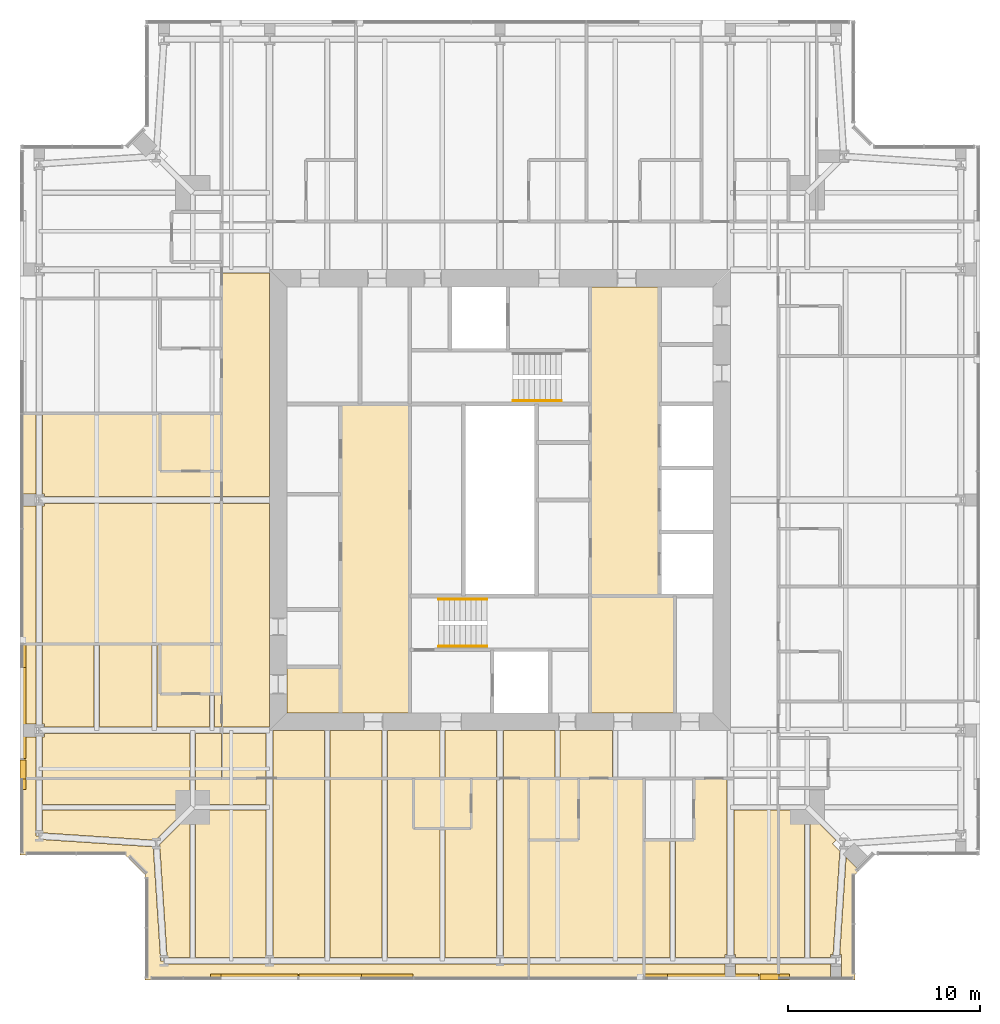
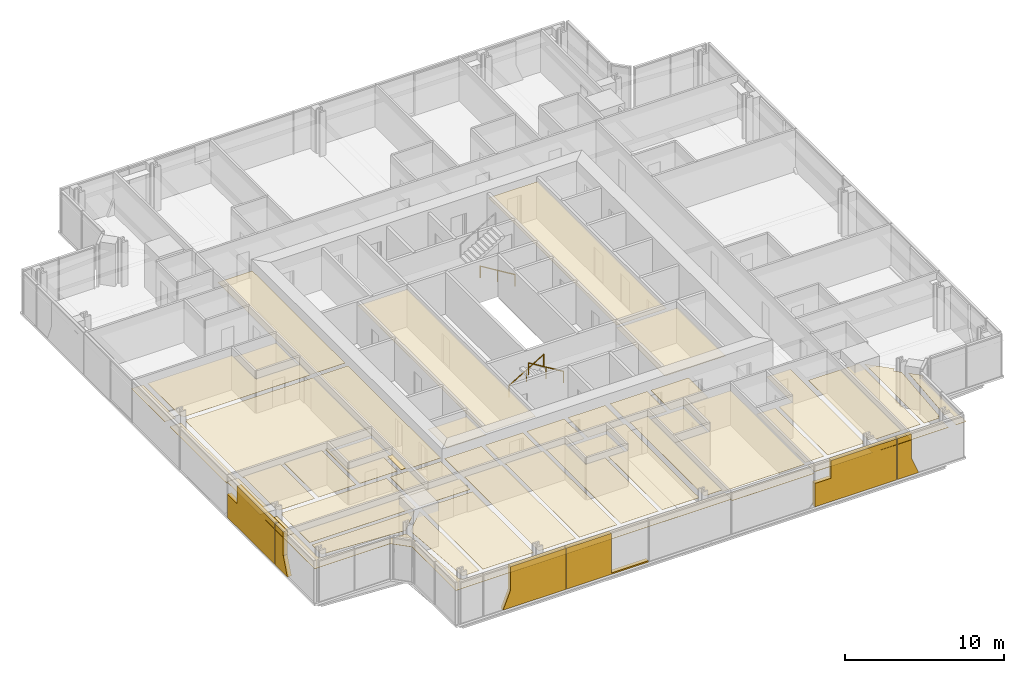
# One storey, part 16 of 18: 57 coverings, 3 railings.
"""IFC4 building model written with IfcOpenShell, lengths in metres."""

from ifc_helpers import new_model, si_unit, direction, frame, origin, origin_2d, place, context, subcontext, project, spatial, polyline, circle, outline, extrude, material, layer, layer_set, type_object, element, save


model = new_model("IFC4")

# Units and contexts
model_context = context("Model", 3, precision=1e-05, world=origin(), true_north=direction((0.0, 1.0)))
body_context = subcontext(model_context, "Body", "Model", "MODEL_VIEW")
ifc_project = project(units=[si_unit("LENGTHUNIT", "METRE"), si_unit("AREAUNIT", "SQUARE_METRE"), si_unit("VOLUMEUNIT", "CUBIC_METRE"), si_unit("PLANEANGLEUNIT", "RADIAN"), si_unit("MASSUNIT", "GRAM", prefix="KILO")], contexts=[model_context])

# Site, building, storey
site_placement = place(None, origin())
site = spatial("IfcSite", under=ifc_project, at=site_placement, CompositionType="ELEMENT")
building_placement = place(site_placement, origin())
building = spatial("IfcBuilding", under=site, at=building_placement, Name="Fenwick Lantern Interchange", CompositionType="ELEMENT")
storey_placement = place(building_placement, frame((0.0, 0.0, 266.199951171875)))
storey = spatial("IfcBuildingStorey", under=building, at=storey_placement, Name="L63", CompositionType="ELEMENT", Elevation=266.199951171875)

# Coverings
ifc_material_1 = material(Name="Granite cladding, warm grey flamed finish, on aluminium carrier frame", Category="masonry")
ifc_layer_1 = layer(ifc_material_1, 0.300048828125)
ifc_layer_set_1 = layer_set([ifc_layer_1], Name="BRACE CASING PANEL 300")
covering_type_1 = type_object("IfcCoveringType", Name="BRACE CASING PANEL 300", PredefinedType="CLADDING", material=ifc_layer_set_1)
covering_1_placement = place(storey_placement, frame((6.60009765625, 0.10009765625, 0.0), z_axis=(0.0, 0.0, 1.0), x_axis=(1.0, 0.0, 0.0)))
element("IfcCovering", 1, at=covering_1_placement, inside=storey, type_object=covering_type_1, Name="Brace casing 01 bay 01a", PredefinedType="CLADDING", context=body_context, shape_type="SweptSolid", body=[
    extrude(outline(polyline([(3.328369140625, 0.0), (7.8701171875, 0.0), (7.8701171875, 3.150146484375), (3.859375, 3.150146484375), (3.859375, 1.31298828125), (3.328369140625, 0.0)])), frame((0.0, 0.2099609375, 0.0), z_axis=(0.0, -1.0, 0.0), x_axis=(1.0, 0.0, 0.0)), (0.0, 0.0, 1.0), 0.300048828125),
])
covering_2_placement = place(storey_placement, frame((6.60009765625, 0.10009765625, 0.0), z_axis=(0.0, 0.0, 1.0), x_axis=(1.0, 0.0, 0.0)))
element("IfcCovering", 2, at=covering_2_placement, inside=storey, type_object=covering_type_1, Name="Brace casing 01 bay 02a", PredefinedType="CLADDING", context=body_context, shape_type="SweptSolid", body=[
    extrude(outline(polyline([(7.929931640625, 0.0), (13.8701171875, 0.0), (13.8701171875, 0.0966796875), (11.180419921875, 0.0966796875), (11.180419921875, 3.150146484375), (7.929931640625, 3.150146484375), (7.929931640625, 0.0)])), frame((0.0, 0.2099609375, 0.0), z_axis=(0.0, -1.0, 0.0), x_axis=(1.0, 0.0, 0.0)), (0.0, 0.0, 1.0), 0.300048828125),
])
covering_3_placement = place(storey_placement, frame((6.60009765625, 0.10009765625, 0.0), z_axis=(0.0, 0.0, 1.0), x_axis=(1.0, 0.0, 0.0)))
element("IfcCovering", 3, at=covering_3_placement, inside=storey, type_object=covering_type_1, Name="Brace casing 01 bay 05a", PredefinedType="CLADDING", context=body_context, shape_type="SweptSolid", body=[
    extrude(outline(polyline([(25.929931640625, 0.0), (31.8701171875, 0.0), (31.8701171875, 3.150146484375), (27.1201171875, 3.150146484375), (27.1201171875, 1.79736328125), (25.929931640625, 1.79736328125), (25.929931640625, 0.0)])), frame((0.0, 0.2099609375, 0.0), z_axis=(0.0, -1.0, 0.0), x_axis=(1.0, 0.0, 0.0)), (0.0, 0.0, 1.0), 0.300048828125),
])
covering_4_placement = place(storey_placement, frame((6.60009765625, 0.10009765625, 0.0), z_axis=(0.0, 0.0, 1.0), x_axis=(1.0, 0.0, 0.0)))
element("IfcCovering", 4, at=covering_4_placement, inside=storey, type_object=covering_type_1, Name="Brace casing 01 bay 06a", PredefinedType="CLADDING", context=body_context, shape_type="SweptSolid", body=[
    extrude(outline(polyline([(31.929931640625, 0.0), (33.471435546875, 0.0), (32.940673828125, 1.31298828125), (32.940673828125, 3.150146484375), (31.929931640625, 3.150146484375), (31.929931640625, 0.0)])), frame((0.0, 0.2099609375, 0.0), z_axis=(0.0, -1.0, 0.0), x_axis=(1.0, 0.0, 0.0)), (0.0, 0.0, 1.0), 0.300048828125),
])
covering_5_placement = place(storey_placement, frame((0.10009765625, 43.39990234375, 0.0), z_axis=(0.0, 0.0, 1.0), x_axis=(0.0, -1.0, 0.0)))
element("IfcCovering", 5, at=covering_5_placement, inside=storey, type_object=covering_type_1, Name="Brace casing 13 bay 05a", PredefinedType="CLADDING", context=body_context, shape_type="SweptSolid", body=[
    extrude(outline(polyline([(25.929931640625, 0.0), (31.8701171875, 0.0), (31.8701171875, 3.150146484375), (27.1201171875, 3.150146484375), (27.1201171875, 1.79736328125), (25.929931640625, 1.79736328125), (25.929931640625, 0.0)])), frame((0.0, 0.2099609375, 0.0), z_axis=(0.0, -1.0, 0.0), x_axis=(1.0, 0.0, 0.0)), (0.0, 0.0, 1.0), 0.300048828125),
])
covering_6_placement = place(storey_placement, frame((0.10009765625, 43.39990234375, 0.0), z_axis=(0.0, 0.0, 1.0), x_axis=(0.0, -1.0, 0.0)))
element("IfcCovering", 6, at=covering_6_placement, inside=storey, type_object=covering_type_1, Name="Brace casing 13 bay 06a", PredefinedType="CLADDING", context=body_context, shape_type="SweptSolid", body=[
    extrude(outline(polyline([(31.929931640625, 0.0), (33.471435546875, 0.0), (32.940673828125, 1.31298828125), (32.940673828125, 3.150146484375), (31.929931640625, 3.150146484375), (31.929931640625, 0.0)])), frame((0.0, 0.2099609375, 0.0), z_axis=(0.0, -1.0, 0.0), x_axis=(1.0, 0.0, 0.0)), (0.0, 0.0, 1.0), 0.300048828125),
])

# Railings
ifc_material_2 = material(Name="Stainless steel handrail", Category="steel")
railing_type = type_object("IfcRailingType", Name="HANDRAIL 900", PredefinedType="HANDRAIL", material=ifc_material_2)
railing_1_placement = place(storey_placement, frame((21.800048828125, 19.825927734375, 0.170166015625)))
element("IfcRailing", 7, at=railing_1_placement, inside=storey, type_object=railing_type, Name="L63/STAIR/ST1/HR1", PredefinedType="HANDRAIL", context=body_context, shape_type="SweptSolid", body=[
    extrude(circle(Radius=0.02392578125, at=origin_2d()), frame((0.0, 0.0, 0.8759765625), z_axis=(0.854821627497, 0.0, 0.518921945155), x_axis=(0.0, 1.0, 0.0)), (0.0, 0.0, 1.0), 2.947998046875),
    extrude(circle(Radius=0.02099609375, at=origin_2d()), origin(), (0.0, 0.0, 1.0), 0.851806640625),
    extrude(circle(Radius=0.02099609375, at=origin_2d()), frame((1.260009765625, 0.0, 0.764892578125)), (0.0, 0.0, 1.0), 0.851806640625),
    extrude(circle(Radius=0.02099609375, at=origin_2d()), frame((2.52001953125, 0.0, 1.52978515625)), (0.0, 0.0, 1.0), 0.851806640625),
])
railing_2_placement = place(storey_placement, frame((24.320068359375, 17.3740234375, 1.8701171875)))
element("IfcRailing", 8, at=railing_2_placement, inside=storey, type_object=railing_type, Name="L63/STAIR/ST1/HR2", PredefinedType="HANDRAIL", context=body_context, shape_type="SweptSolid", body=[
    extrude(circle(Radius=0.02392578125, at=origin_2d()), frame((0.0, 0.0, 0.8759765625), z_axis=(-0.85478489116, 0.0, 0.518982456201), x_axis=(0.0, -1.0, 0.0)), (0.0, 0.0, 1.0), 2.9482421875),
    extrude(circle(Radius=0.02099609375, at=origin_2d()), origin(), (0.0, 0.0, 1.0), 0.851806640625),
    extrude(circle(Radius=0.02099609375, at=origin_2d()), frame((-1.260009765625, 0.0, 0.76513671875)), (0.0, 0.0, 1.0), 0.851806640625),
    extrude(circle(Radius=0.02099609375, at=origin_2d()), frame((-2.52001953125, 0.0, 1.530029296875)), (0.0, 0.0, 1.0), 0.851806640625),
])
railing_3_placement = place(storey_placement, frame((28.199951171875, 30.174072265625, 0.170166015625)))
element("IfcRailing", 9, at=railing_3_placement, inside=storey, type_object=railing_type, Name="L63/STAIR/ST2/HR1", PredefinedType="HANDRAIL", context=body_context, shape_type="SweptSolid", body=[
    extrude(circle(Radius=0.02392578125, at=origin_2d()), frame((0.0, 0.0, 0.8759765625), z_axis=(-0.854821627497, 0.0, 0.518921945155), x_axis=(0.0, -1.0, 0.0)), (0.0, 0.0, 1.0), 2.947998046875),
    extrude(circle(Radius=0.02099609375, at=origin_2d()), origin(), (0.0, 0.0, 1.0), 0.851806640625),
    extrude(circle(Radius=0.02099609375, at=origin_2d()), frame((-1.260009765625, 0.0, 0.764892578125)), (0.0, 0.0, 1.0), 0.851806640625),
    extrude(circle(Radius=0.02099609375, at=origin_2d()), frame((-2.52001953125, 0.0, 1.52978515625)), (0.0, 0.0, 1.0), 0.851806640625),
])

# Coverings
ifc_material_3 = material(Name="Moisture resistant gypsum board on suspended frame, painted")
ifc_layer_2 = layer(ifc_material_3, 0.014892578125)
ifc_layer_set_2 = layer_set([ifc_layer_2], Name="MOISTURE RESISTANT CEILING 15")
covering_type_2 = type_object("IfcCoveringType", Name="MOISTURE RESISTANT CEILING 15", PredefinedType="CEILING", material=ifc_layer_set_2)
covering_7_placement = place(storey_placement, frame((0.0, 0.0, 2.60009765625)))
element("IfcCovering", 10, at=covering_7_placement, inside=storey, type_object=covering_type_2, Name="Women's WC ceiling", PredefinedType="CEILING", context=body_context, shape_type="SweptSolid", body=[
    extrude(outline(polyline([(29.699951171875, 13.89990234375), (34.10009765625, 13.89990234375), (34.10009765625, 20.0), (29.699951171875, 20.0), (29.699951171875, 13.89990234375)])), origin(), (0.0, 0.0, 1.0), 0.014892578125),
])
covering_8_placement = place(storey_placement, frame((0.0, 0.0, 2.60009765625)))
element("IfcCovering", 11, at=covering_8_placement, inside=storey, type_object=covering_type_2, Name="Accessible WC ceiling", PredefinedType="CEILING", context=body_context, shape_type="SweptSolid", body=[
    extrude(outline(polyline([(13.89990234375, 13.89990234375), (16.699951171875, 13.89990234375), (16.699951171875, 16.300048828125), (13.89990234375, 16.300048828125), (13.89990234375, 13.89990234375)])), origin(), (0.0, 0.0, 1.0), 0.014892578125),
])
covering_9_placement = place(storey_placement, frame((0.0, 0.0, 2.400146484375)))
element("IfcCovering", 12, at=covering_9_placement, inside=storey, type_object=covering_type_2, Name="Club lounge pantry ceiling", PredefinedType="CEILING", context=body_context, shape_type="SweptSolid", body=[
    extrude(outline(polyline([(20.5, 7.89990234375), (23.5, 7.89990234375), (23.5, 10.5), (20.5, 10.5), (20.5, 7.89990234375)])), origin(), (0.0, 0.0, 1.0), 0.014892578125),
])
covering_10_placement = place(storey_placement, frame((0.0, 0.0, 2.400146484375)))
element("IfcCovering", 13, at=covering_10_placement, inside=storey, type_object=covering_type_2, Name="En-suite 6301 ceiling", PredefinedType="CEILING", context=body_context, shape_type="SweptSolid", body=[
    extrude(outline(polyline([(26.5, 7.300048828125), (29.10009765625, 7.300048828125), (29.10009765625, 10.5), (26.5, 10.5), (26.5, 7.300048828125)])), origin(), (0.0, 0.0, 1.0), 0.014892578125),
])
covering_11_placement = place(storey_placement, frame((0.0, 0.0, 2.400146484375)))
element("IfcCovering", 14, at=covering_11_placement, inside=storey, type_object=covering_type_2, Name="En-suite 6313 ceiling", PredefinedType="CEILING", context=body_context, shape_type="SweptSolid", body=[
    extrude(outline(polyline([(7.300048828125, 29.5), (7.300048828125, 26.5), (10.5, 26.5), (10.5, 29.5), (7.300048828125, 29.5)])), origin(), (0.0, 0.0, 1.0), 0.014892578125),
])
covering_12_placement = place(storey_placement, frame((0.0, 0.0, 2.400146484375)))
element("IfcCovering", 15, at=covering_12_placement, inside=storey, type_object=covering_type_2, Name="En-suite 6314 ceiling", PredefinedType="CEILING", context=body_context, shape_type="SweptSolid", body=[
    extrude(outline(polyline([(7.300048828125, 17.5), (7.300048828125, 14.89990234375), (10.5, 14.89990234375), (10.5, 17.5), (7.300048828125, 17.5)])), origin(), (0.0, 0.0, 1.0), 0.014892578125),
])
ifc_material_4 = material(Name="Gypsum plasterboard on suspended frame, painted")
ifc_layer_3 = layer(ifc_material_4, 0.014892578125)
ifc_layer_set_3 = layer_set([ifc_layer_3], Name="PLASTERBOARD CEILING 15")
covering_type_3 = type_object("IfcCoveringType", Name="PLASTERBOARD CEILING 15", PredefinedType="CEILING", material=ifc_layer_set_3)
covering_13_placement = place(storey_placement, frame((0.0, 0.0, 2.800048828125)))
element("IfcCovering", 16, at=covering_13_placement, inside=storey, type_object=covering_type_3, Name="Lift lobby ceiling", PredefinedType="CEILING", context=body_context, shape_type="SweptSolid", body=[
    extrude(outline(polyline([(16.699951171875, 13.89990234375), (20.300048828125, 13.89990234375), (20.300048828125, 30.0), (16.699951171875, 30.0), (16.699951171875, 13.89990234375)])), origin(), (0.0, 0.0, 1.0), 0.014892578125),
])
covering_14_placement = place(storey_placement, frame((0.0, 0.0, 2.800048828125)))
element("IfcCovering", 17, at=covering_14_placement, inside=storey, type_object=covering_type_3, Name="Lift lobby ceiling", PredefinedType="CEILING", context=body_context, shape_type="SweptSolid", body=[
    extrude(outline(polyline([(33.300048828125, 36.10009765625), (29.699951171875, 36.10009765625), (29.699951171875, 20.0), (33.300048828125, 20.0), (33.300048828125, 36.10009765625)])), origin(), (0.0, 0.0, 1.0), 0.014892578125),
])
covering_15_placement = place(storey_placement, frame((0.0, 0.0, 2.60009765625)))
element("IfcCovering", 18, at=covering_15_placement, inside=storey, type_object=covering_type_3, Name="Corridor ceiling", PredefinedType="CEILING", context=body_context, shape_type="SweptSolid", body=[
    extrude(outline(polyline([(10.5, 36.833984375), (10.5, 25.175048828125), (13.0, 25.175048828125), (13.0, 36.833984375), (10.5, 36.833984375)])), origin(), (0.0, 0.0, 1.0), 0.014892578125),
])
covering_16_placement = place(storey_placement, frame((0.0, 0.0, 2.60009765625)))
element("IfcCovering", 19, at=covering_16_placement, inside=storey, type_object=covering_type_3, Name="Corridor ceiling", PredefinedType="CEILING", context=body_context, shape_type="SweptSolid", body=[
    extrude(outline(polyline([(10.5, 24.824951171875), (10.5, 13.166015625), (13.0, 13.166015625), (13.0, 24.824951171875), (10.5, 24.824951171875)])), origin(), (0.0, 0.0, 1.0), 0.014892578125),
])
covering_17_placement = place(storey_placement, frame((0.0, 0.0, 2.60009765625)))
element("IfcCovering", 20, at=covering_17_placement, inside=storey, type_object=covering_type_3, Name="Corridor ceiling", PredefinedType="CEILING", context=body_context, shape_type="SweptSolid", body=[
    extrude(outline(polyline([(16.134521484375, 10.5), (18.865478515625, 10.5), (18.865478515625, 13.0), (16.134521484375, 13.0), (16.134521484375, 10.5)])), origin(), (0.0, 0.0, 1.0), 0.014892578125),
])
covering_18_placement = place(storey_placement, frame((0.0, 0.0, 2.60009765625)))
element("IfcCovering", 21, at=covering_18_placement, inside=storey, type_object=covering_type_3, Name="Corridor ceiling", PredefinedType="CEILING", context=body_context, shape_type="SweptSolid", body=[
    extrude(outline(polyline([(19.134521484375, 10.5), (21.865478515625, 10.5), (21.865478515625, 13.0), (19.134521484375, 13.0), (19.134521484375, 10.5)])), origin(), (0.0, 0.0, 1.0), 0.014892578125),
])
covering_19_placement = place(storey_placement, frame((0.0, 0.0, 2.60009765625)))
element("IfcCovering", 22, at=covering_19_placement, inside=storey, type_object=covering_type_3, Name="Corridor ceiling", PredefinedType="CEILING", context=body_context, shape_type="SweptSolid", body=[
    extrude(outline(polyline([(28.134521484375, 10.5), (30.865478515625, 10.5), (30.865478515625, 13.0), (28.134521484375, 13.0), (28.134521484375, 10.5)])), origin(), (0.0, 0.0, 1.0), 0.014892578125),
])
covering_20_placement = place(storey_placement, frame((0.0, 0.0, 2.60009765625)))
element("IfcCovering", 23, at=covering_20_placement, inside=storey, type_object=covering_type_3, Name="Corridor ceiling", PredefinedType="CEILING", context=body_context, shape_type="SweptSolid", body=[
    extrude(outline(polyline([(13.183837890625, 10.5), (15.865478515625, 10.5), (15.865478515625, 13.0), (13.183837890625, 13.0), (13.183837890625, 10.5)])), origin(), (0.0, 0.0, 1.0), 0.014892578125),
])
covering_21_placement = place(storey_placement, frame((0.0, 0.0, 2.60009765625)))
element("IfcCovering", 24, at=covering_21_placement, inside=storey, type_object=covering_type_3, Name="Corridor ceiling", PredefinedType="CEILING", context=body_context, shape_type="SweptSolid", body=[
    extrude(outline(polyline([(22.134521484375, 10.5), (24.816162109375, 10.5), (24.816162109375, 13.0), (22.134521484375, 13.0), (22.134521484375, 10.5)])), origin(), (0.0, 0.0, 1.0), 0.014892578125),
])
covering_22_placement = place(storey_placement, frame((0.0, 0.0, 2.60009765625)))
element("IfcCovering", 25, at=covering_22_placement, inside=storey, type_object=covering_type_3, Name="Corridor ceiling", PredefinedType="CEILING", context=body_context, shape_type="SweptSolid", body=[
    extrude(outline(polyline([(25.183837890625, 10.5), (27.865478515625, 10.5), (27.865478515625, 13.0), (25.183837890625, 13.0), (25.183837890625, 10.5)])), origin(), (0.0, 0.0, 1.0), 0.014892578125),
])
covering_23_placement = place(storey_placement, frame((0.0, 0.0, 2.60009765625)))
element("IfcCovering", 26, at=covering_23_placement, inside=storey, type_object=covering_type_3, Name="Corridor ceiling", PredefinedType="CEILING", context=body_context, shape_type="SweptSolid", body=[
    extrude(outline(polyline([(10.5, 10.5), (12.816162109375, 10.5), (12.816162109375, 12.833984375), (10.5, 12.833984375), (10.5, 10.5)])), origin(), (0.0, 0.0, 1.0), 0.014892578125),
])
covering_24_placement = place(storey_placement, frame((0.0, 0.0, 2.699951171875)))
element("IfcCovering", 27, at=covering_24_placement, inside=storey, type_object=covering_type_3, Name="Club lounge ceiling", PredefinedType="CEILING", context=body_context, shape_type="SweptSolid", body=[
    extrude(outline(polyline([(9.134521484375, 8.865478515625), (9.134521484375, 1.17236328125), (12.816162109375, 1.17236328125), (12.816162109375, 8.865478515625), (9.134521484375, 8.865478515625)])), origin(), (0.0, 0.0, 1.0), 0.01513671875),
])
covering_25_placement = place(storey_placement, frame((0.0, 0.0, 2.699951171875)))
element("IfcCovering", 28, at=covering_25_placement, inside=storey, type_object=covering_type_3, Name="Club lounge ceiling", PredefinedType="CEILING", context=body_context, shape_type="SweptSolid", body=[
    extrude(outline(polyline([(0.0, 6.5), (5.5, 6.5), (6.5, 5.5), (6.5, 0.0), (26.5, 0.0), (26.5, 0.82763671875), (25.0, 0.82763671875), (13.0, 0.82763671875), (7.5, 0.82763671875), (7.5, 1.0), (7.327880859375, 0.98876953125), (6.937744140625, 6.937744140625), (0.98876953125, 7.327880859375), (1.0, 7.5), (0.82763671875, 7.5), (0.82763671875, 10.5), (0.0, 10.5), (0.0, 6.5)])), origin(), (0.0, 0.0, 1.0), 0.01513671875),
])
covering_26_placement = place(storey_placement, frame((0.0, 0.0, 2.699951171875)))
element("IfcCovering", 29, at=covering_26_placement, inside=storey, type_object=covering_type_3, Name="Club lounge ceiling", PredefinedType="CEILING", context=body_context, shape_type="SweptSolid", body=[
    extrude(outline(polyline([(18.865478515625, 10.5), (16.134521484375, 10.5), (16.134521484375, 1.17236328125), (18.865478515625, 1.17236328125), (18.865478515625, 10.5)])), origin(), (0.0, 0.0, 1.0), 0.01513671875),
])
covering_27_placement = place(storey_placement, frame((0.0, 0.0, 2.699951171875)))
element("IfcCovering", 30, at=covering_27_placement, inside=storey, type_object=covering_type_3, Name="Club lounge ceiling", PredefinedType="CEILING", context=body_context, shape_type="SweptSolid", body=[
    extrude(outline(polyline([(15.865478515625, 10.5), (13.183837890625, 10.5), (13.183837890625, 1.17236328125), (15.865478515625, 1.17236328125), (15.865478515625, 10.5)])), origin(), (0.0, 0.0, 1.0), 0.01513671875),
])
covering_28_placement = place(storey_placement, frame((0.0, 0.0, 2.699951171875)))
element("IfcCovering", 31, at=covering_28_placement, inside=storey, type_object=covering_type_3, Name="Club lounge ceiling", PredefinedType="CEILING", context=body_context, shape_type="SweptSolid", body=[
    extrude(outline(polyline([(20.5, 10.5), (19.134521484375, 10.5), (19.134521484375, 1.17236328125), (21.865478515625, 1.17236328125), (21.865478515625, 7.89990234375), (20.5, 7.89990234375), (20.5, 10.5)])), origin(), (0.0, 0.0, 1.0), 0.01513671875),
])
covering_29_placement = place(storey_placement, frame((0.0, 0.0, 2.699951171875)))
element("IfcCovering", 32, at=covering_29_placement, inside=storey, type_object=covering_type_3, Name="Club lounge ceiling", PredefinedType="CEILING", context=body_context, shape_type="SweptSolid", body=[
    extrude(outline(polyline([(23.5, 7.89990234375), (22.134521484375, 7.89990234375), (22.134521484375, 1.17236328125), (24.816162109375, 1.17236328125), (24.816162109375, 10.5), (23.5, 10.5), (23.5, 7.89990234375)])), origin(), (0.0, 0.0, 1.0), 0.01513671875),
])
covering_30_placement = place(storey_placement, frame((0.0, 0.0, 2.699951171875)))
element("IfcCovering", 33, at=covering_30_placement, inside=storey, type_object=covering_type_3, Name="Club lounge ceiling", PredefinedType="CEILING", context=body_context, shape_type="SweptSolid", body=[
    extrude(outline(polyline([(26.5, 10.5), (25.183837890625, 10.5), (25.183837890625, 1.17236328125), (26.5, 1.17236328125), (26.5, 10.5)])), origin(), (0.0, 0.0, 1.0), 0.01513671875),
])
covering_31_placement = place(storey_placement, frame((0.0, 0.0, 2.699951171875)))
element("IfcCovering", 34, at=covering_31_placement, inside=storey, type_object=covering_type_3, Name="Club lounge ceiling", PredefinedType="CEILING", context=body_context, shape_type="SweptSolid", body=[
    extrude(outline(polyline([(8.865478515625, 10.5), (1.17236328125, 10.5), (1.17236328125, 9.134521484375), (8.865478515625, 9.134521484375), (8.865478515625, 10.5)])), origin(), (0.0, 0.0, 1.0), 0.01513671875),
])
covering_32_placement = place(storey_placement, frame((0.0, 0.0, 2.699951171875)))
element("IfcCovering", 35, at=covering_32_placement, inside=storey, type_object=covering_type_3, Name="Club lounge ceiling", PredefinedType="CEILING", context=body_context, shape_type="SweptSolid", body=[
    extrude(outline(polyline([(7.05859375, 7.275390625), (8.648681640625, 8.865478515625), (1.17236328125, 8.865478515625), (1.17236328125, 7.661376953125), (7.05859375, 7.275390625)])), origin(), (0.0, 0.0, 1.0), 0.01513671875),
])
covering_33_placement = place(storey_placement, frame((0.0, 0.0, 2.699951171875)))
element("IfcCovering", 36, at=covering_33_placement, inside=storey, type_object=covering_type_3, Name="Club lounge ceiling", PredefinedType="CEILING", context=body_context, shape_type="SweptSolid", body=[
    extrude(outline(polyline([(7.661376953125, 1.17236328125), (8.865478515625, 1.17236328125), (8.865478515625, 8.648681640625), (7.275390625, 7.05859375), (7.661376953125, 1.17236328125)])), origin(), (0.0, 0.0, 1.0), 0.01513671875),
])
covering_34_placement = place(storey_placement, frame((0.0, 0.0, 2.699951171875)))
element("IfcCovering", 37, at=covering_34_placement, inside=storey, type_object=covering_type_3, Name="Club lounge ceiling", PredefinedType="CEILING", context=body_context, shape_type="SweptSolid", body=[
    extrude(outline(polyline([(12.816162109375, 10.5), (9.134521484375, 10.5), (9.134521484375, 9.134521484375), (12.816162109375, 9.134521484375), (12.816162109375, 10.5)])), origin(), (0.0, 0.0, 1.0), 0.01513671875),
])
covering_35_placement = place(storey_placement, frame((0.0, 0.0, 2.572998046875)))
element("IfcCovering", 38, at=covering_35_placement, inside=storey, type_object=covering_type_3, Name="Guest room 6301 ceiling", PredefinedType="CEILING", context=body_context, shape_type="SweptSolid", body=[
    extrude(outline(polyline([(32.5, 1.17236328125), (32.5, 10.5), (29.10009765625, 10.5), (29.10009765625, 7.300048828125), (26.5, 7.300048828125), (26.5, 1.17236328125), (32.5, 1.17236328125)])), origin(), (0.0, 0.0, 1.0), 0.014892578125),
])
covering_36_placement = place(storey_placement, frame((0.0, 0.0, 2.572998046875)))
element("IfcCovering", 39, at=covering_36_placement, inside=storey, type_object=covering_type_3, Name="Guest room 6301 ceiling", PredefinedType="CEILING", context=body_context, shape_type="SweptSolid", body=[
    extrude(outline(polyline([(32.5, 0.0), (32.5, 0.82763671875), (26.5, 0.82763671875), (26.5, 0.0), (32.5, 0.0)])), origin(), (0.0, 0.0, 1.0), 0.014892578125),
])
covering_37_placement = place(storey_placement, frame((0.0, 0.0, 2.699951171875)))
element("IfcCovering", 40, at=covering_37_placement, inside=storey, type_object=covering_type_3, Name="Guest room 6302 ceiling", PredefinedType="CEILING", context=body_context, shape_type="SweptSolid", body=[
    extrude(outline(polyline([(36.72265625, 1.33447265625), (36.816162109375, 1.33447265625), (36.816162109375, 10.5), (35.10009765625, 10.5), (35.10009765625, 7.300048828125), (34.134521484375, 7.300048828125), (34.134521484375, 1.17236328125), (36.72265625, 1.17236328125), (36.72265625, 1.33447265625)])), origin(), (0.0, 0.0, 1.0), 0.01513671875),
])
covering_38_placement = place(storey_placement, frame((0.0, 0.0, 2.699951171875)))
element("IfcCovering", 41, at=covering_38_placement, inside=storey, type_object=covering_type_3, Name="Guest room 6302 ceiling", PredefinedType="CEILING", context=body_context, shape_type="SweptSolid", body=[
    extrude(outline(polyline([(37.27734375, 1.33447265625), (37.27734375, 1.17236328125), (39.5, 1.17236328125), (39.5, 8.865478515625), (37.183837890625, 8.865478515625), (37.183837890625, 1.33447265625), (37.27734375, 1.33447265625)])), origin(), (0.0, 0.0, 1.0), 0.01513671875),
])
covering_39_placement = place(storey_placement, frame((0.0, 0.0, 2.699951171875)))
element("IfcCovering", 42, at=covering_39_placement, inside=storey, type_object=covering_type_3, Name="Guest room 6302 ceiling", PredefinedType="CEILING", context=body_context, shape_type="SweptSolid", body=[
    extrude(outline(polyline([(32.5, 7.300048828125), (32.5, 1.17236328125), (33.865478515625, 1.17236328125), (33.865478515625, 7.300048828125), (32.5, 7.300048828125)])), origin(), (0.0, 0.0, 1.0), 0.01513671875),
])
covering_40_placement = place(storey_placement, frame((0.0, 0.0, 2.699951171875)))
element("IfcCovering", 43, at=covering_40_placement, inside=storey, type_object=covering_type_3, Name="Guest room 6302 ceiling", PredefinedType="CEILING", context=body_context, shape_type="SweptSolid", body=[
    extrude(outline(polyline([(36.72265625, 0.0), (36.72265625, 0.82763671875), (32.5, 0.82763671875), (32.5, 0.0), (36.72265625, 0.0)])), origin(), (0.0, 0.0, 1.0), 0.01513671875),
])
covering_41_placement = place(storey_placement, frame((0.0, 0.0, 2.699951171875)))
element("IfcCovering", 44, at=covering_41_placement, inside=storey, type_object=covering_type_3, Name="Guest room 6302 ceiling", PredefinedType="CEILING", context=body_context, shape_type="SweptSolid", body=[
    extrude(outline(polyline([(37.27734375, 0.0), (39.5, 0.0), (39.5, 0.82763671875), (37.27734375, 0.82763671875), (37.27734375, 0.0)])), origin(), (0.0, 0.0, 1.0), 0.01513671875),
])
covering_42_placement = place(storey_placement, frame((0.0, 0.0, 2.699951171875)))
element("IfcCovering", 45, at=covering_42_placement, inside=storey, type_object=covering_type_3, Name="Guest suite 6303 ceiling", PredefinedType="CEILING", context=body_context, shape_type="SweptSolid", body=[
    extrude(outline(polyline([(39.5, 8.865478515625), (39.5, 1.17236328125), (40.865478515625, 1.17236328125), (40.865478515625, 8.865478515625), (39.5, 8.865478515625)])), origin(), (0.0, 0.0, 1.0), 0.01513671875),
])
covering_43_placement = place(storey_placement, frame((0.0, 0.0, 2.699951171875)))
element("IfcCovering", 46, at=covering_43_placement, inside=storey, type_object=covering_type_3, Name="Guest suite 6303 ceiling", PredefinedType="CEILING", context=body_context, shape_type="SweptSolid", body=[
    extrude(outline(polyline([(42.22265625, 1.33447265625), (42.34912109375, 1.33447265625), (42.701904296875, 6.715576171875), (42.3173828125, 7.10009765625), (42.500244140625, 7.28271484375), (41.134521484375, 8.648681640625), (41.134521484375, 1.17236328125), (42.22265625, 1.17236328125), (42.22265625, 1.33447265625)])), origin(), (0.0, 0.0, 1.0), 0.01513671875),
])
covering_44_placement = place(storey_placement, frame((0.0, 0.0, 2.699951171875)))
element("IfcCovering", 47, at=covering_44_placement, inside=storey, type_object=covering_type_3, Name="Guest suite 6303 ceiling", PredefinedType="CEILING", context=body_context, shape_type="SweptSolid", body=[
    extrude(outline(polyline([(42.69482421875, 1.33447265625), (42.77734375, 1.33447265625), (42.77734375, 0.0), (43.5, 0.0), (43.5, 5.5), (43.708740234375, 5.708740234375), (43.0263671875, 6.39111328125), (42.69482421875, 1.33447265625)])), origin(), (0.0, 0.0, 1.0), 0.01513671875),
])
covering_45_placement = place(storey_placement, frame((0.0, 0.0, 2.699951171875)))
element("IfcCovering", 48, at=covering_45_placement, inside=storey, type_object=covering_type_3, Name="Guest suite 6303 ceiling", PredefinedType="CEILING", context=body_context, shape_type="SweptSolid", body=[
    extrude(outline(polyline([(42.22265625, 0.0), (42.22265625, 0.82763671875), (39.5, 0.82763671875), (39.5, 0.0), (42.22265625, 0.0)])), origin(), (0.0, 0.0, 1.0), 0.01513671875),
])
covering_46_placement = place(storey_placement, frame((0.0, 0.0, 2.572998046875)))
element("IfcCovering", 49, at=covering_46_placement, inside=storey, type_object=covering_type_3, Name="Guest suite 6313 ceiling", PredefinedType="CEILING", context=body_context, shape_type="SweptSolid", body=[
    extrude(outline(polyline([(1.27099609375, 24.6845703125), (1.17236328125, 24.6845703125), (1.17236328125, 17.5), (10.5, 17.5), (10.5, 24.824951171875), (1.27099609375, 24.824951171875), (1.27099609375, 24.6845703125)])), origin(), (0.0, 0.0, 1.0), 0.014892578125),
])
covering_47_placement = place(storey_placement, frame((0.0, 0.0, 2.572998046875)))
element("IfcCovering", 50, at=covering_47_placement, inside=storey, type_object=covering_type_3, Name="Guest suite 6313 ceiling", PredefinedType="CEILING", context=body_context, shape_type="SweptSolid", body=[
    extrude(outline(polyline([(1.27099609375, 25.3154296875), (1.27099609375, 25.175048828125), (10.5, 25.175048828125), (10.5, 26.5), (7.300048828125, 26.5), (7.300048828125, 29.5), (1.17236328125, 29.5), (1.17236328125, 25.3154296875), (1.27099609375, 25.3154296875)])), origin(), (0.0, 0.0, 1.0), 0.014892578125),
])
covering_48_placement = place(storey_placement, frame((0.0, 0.0, 2.572998046875)))
element("IfcCovering", 51, at=covering_48_placement, inside=storey, type_object=covering_type_3, Name="Guest suite 6313 ceiling", PredefinedType="CEILING", context=body_context, shape_type="SweptSolid", body=[
    extrude(outline(polyline([(0.0, 24.6845703125), (0.0, 17.5), (0.82763671875, 17.5), (0.82763671875, 24.6845703125), (0.0, 24.6845703125)])), origin(), (0.0, 0.0, 1.0), 0.014892578125),
])
covering_49_placement = place(storey_placement, frame((0.0, 0.0, 2.572998046875)))
element("IfcCovering", 52, at=covering_49_placement, inside=storey, type_object=covering_type_3, Name="Guest suite 6313 ceiling", PredefinedType="CEILING", context=body_context, shape_type="SweptSolid", body=[
    extrude(outline(polyline([(0.0, 25.3154296875), (0.82763671875, 25.3154296875), (0.82763671875, 29.5), (0.0, 29.5), (0.0, 25.3154296875)])), origin(), (0.0, 0.0, 1.0), 0.014892578125),
])
covering_50_placement = place(storey_placement, frame((0.0, 0.0, 2.699951171875)))
element("IfcCovering", 53, at=covering_50_placement, inside=storey, type_object=covering_type_3, Name="Guest room 6314 ceiling", PredefinedType="CEILING", context=body_context, shape_type="SweptSolid", body=[
    extrude(outline(polyline([(1.27734375, 12.66552734375), (1.17236328125, 12.66552734375), (1.17236328125, 10.5), (8.865478515625, 10.5), (8.865478515625, 12.833984375), (1.27734375, 12.833984375), (1.27734375, 12.66552734375)])), origin(), (0.0, 0.0, 1.0), 0.01513671875),
])
covering_51_placement = place(storey_placement, frame((0.0, 0.0, 2.699951171875)))
element("IfcCovering", 54, at=covering_51_placement, inside=storey, type_object=covering_type_3, Name="Guest room 6314 ceiling", PredefinedType="CEILING", context=body_context, shape_type="SweptSolid", body=[
    extrude(outline(polyline([(6.865478515625, 17.5), (4.134521484375, 17.5), (4.134521484375, 13.166015625), (6.865478515625, 13.166015625), (6.865478515625, 17.5)])), origin(), (0.0, 0.0, 1.0), 0.01513671875),
])
covering_52_placement = place(storey_placement, frame((0.0, 0.0, 2.699951171875)))
element("IfcCovering", 55, at=covering_52_placement, inside=storey, type_object=covering_type_3, Name="Guest room 6314 ceiling", PredefinedType="CEILING", context=body_context, shape_type="SweptSolid", body=[
    extrude(outline(polyline([(1.27734375, 13.33447265625), (1.27734375, 13.166015625), (3.865478515625, 13.166015625), (3.865478515625, 17.5), (1.17236328125, 17.5), (1.17236328125, 13.33447265625), (1.27734375, 13.33447265625)])), origin(), (0.0, 0.0, 1.0), 0.01513671875),
])
covering_53_placement = place(storey_placement, frame((0.0, 0.0, 2.699951171875)))
element("IfcCovering", 56, at=covering_53_placement, inside=storey, type_object=covering_type_3, Name="Guest room 6314 ceiling", PredefinedType="CEILING", context=body_context, shape_type="SweptSolid", body=[
    extrude(outline(polyline([(7.300048828125, 17.5), (7.134521484375, 17.5), (7.134521484375, 13.166015625), (9.865478515625, 13.166015625), (9.865478515625, 14.89990234375), (7.300048828125, 14.89990234375), (7.300048828125, 17.5)])), origin(), (0.0, 0.0, 1.0), 0.01513671875),
])
covering_54_placement = place(storey_placement, frame((0.0, 0.0, 2.699951171875)))
element("IfcCovering", 57, at=covering_54_placement, inside=storey, type_object=covering_type_3, Name="Guest room 6314 ceiling", PredefinedType="CEILING", context=body_context, shape_type="SweptSolid", body=[
    extrude(outline(polyline([(0.0, 13.33447265625), (0.82763671875, 13.33447265625), (0.82763671875, 17.5), (0.0, 17.5), (0.0, 13.33447265625)])), origin(), (0.0, 0.0, 1.0), 0.01513671875),
])
covering_55_placement = place(storey_placement, frame((0.0, 0.0, 2.699951171875)))
element("IfcCovering", 58, at=covering_55_placement, inside=storey, type_object=covering_type_3, Name="Guest room 6314 ceiling", PredefinedType="CEILING", context=body_context, shape_type="SweptSolid", body=[
    extrude(outline(polyline([(10.5, 10.5), (10.5, 12.833984375), (9.134521484375, 12.833984375), (9.134521484375, 10.5), (10.5, 10.5)])), origin(), (0.0, 0.0, 1.0), 0.01513671875),
])
covering_56_placement = place(storey_placement, frame((0.0, 0.0, 2.699951171875)))
element("IfcCovering", 59, at=covering_56_placement, inside=storey, type_object=covering_type_3, Name="Guest room 6314 ceiling", PredefinedType="CEILING", context=body_context, shape_type="SweptSolid", body=[
    extrude(outline(polyline([(0.0, 12.66552734375), (0.0, 10.5), (0.82763671875, 10.5), (0.82763671875, 12.66552734375), (0.0, 12.66552734375)])), origin(), (0.0, 0.0, 1.0), 0.01513671875),
])
covering_57_placement = place(storey_placement, frame((0.0, 0.0, 2.699951171875)))
element("IfcCovering", 60, at=covering_57_placement, inside=storey, type_object=covering_type_3, Name="Guest room 6314 ceiling", PredefinedType="CEILING", context=body_context, shape_type="SweptSolid", body=[
    extrude(outline(polyline([(10.5, 14.89990234375), (10.134521484375, 14.89990234375), (10.134521484375, 13.166015625), (10.5, 13.166015625), (10.5, 14.89990234375)])), origin(), (0.0, 0.0, 1.0), 0.01513671875),
])

save(model, "model.ifc")
